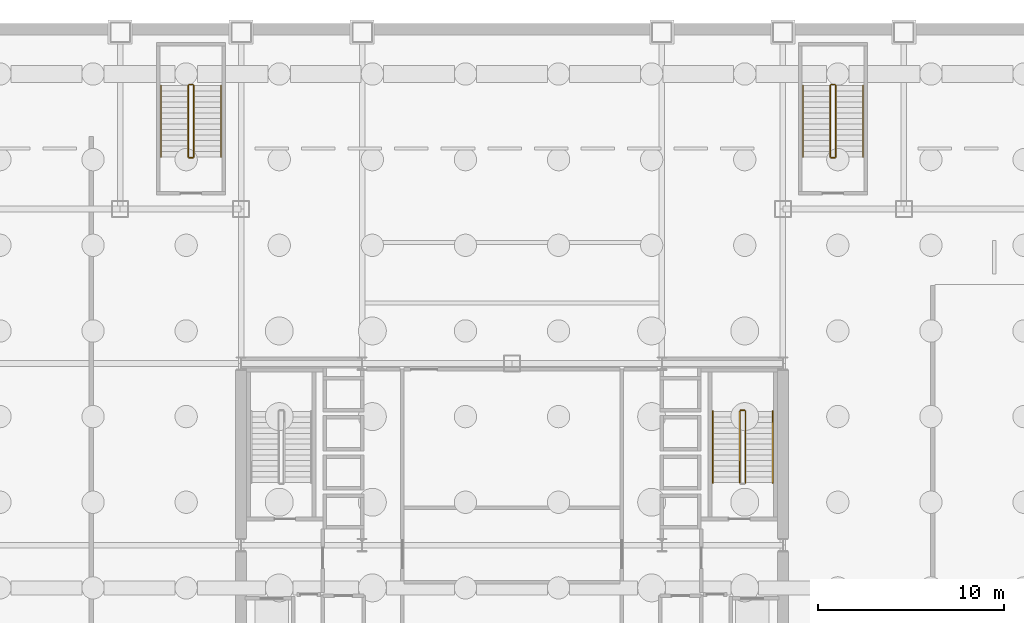
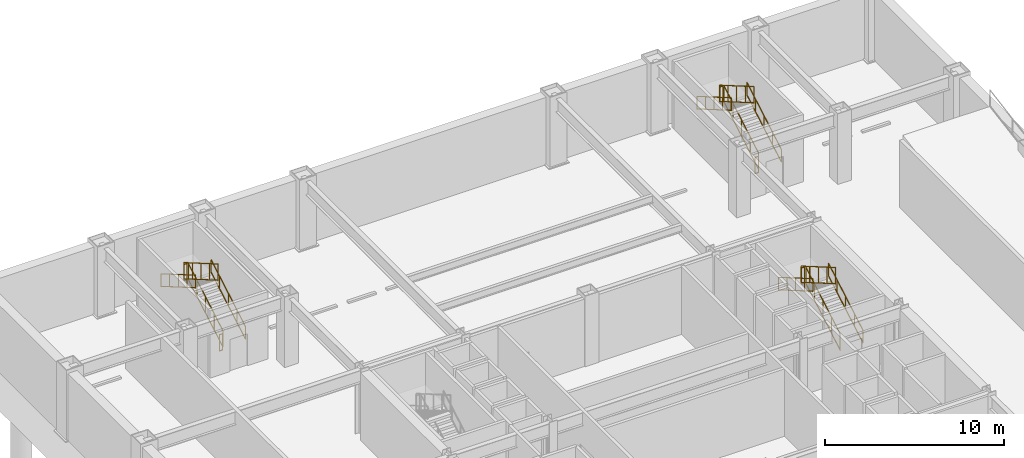
# One storey, part 7 of 8: 17 railings.
"""IFC4 building model written with IfcOpenShell, lengths in metres."""

from ifc_helpers import new_model, si_unit, direction, frame, origin, origin_2d, place, context, subcontext, project, spatial, rectangle, extrude, material, type_object, element, save


model = new_model("IFC4")

# Units and contexts
model_context = context("Model", 3, precision=1e-05, world=origin(), true_north=direction((0.0, 1.0)))
body_context = subcontext(model_context, "Body", "Model", "MODEL_VIEW")
ifc_project = project(units=[si_unit("LENGTHUNIT", "METRE"), si_unit("AREAUNIT", "SQUARE_METRE"), si_unit("VOLUMEUNIT", "CUBIC_METRE"), si_unit("PLANEANGLEUNIT", "RADIAN"), si_unit("MASSUNIT", "GRAM", prefix="KILO")], contexts=[model_context])

# Site, building, storey
site_placement = place(None, origin())
site = spatial("IfcSite", under=ifc_project, at=site_placement, CompositionType="ELEMENT")
building_placement = place(site_placement, origin())
building = spatial("IfcBuilding", under=site, at=building_placement, Name="Brelmoor Portico Tower", CompositionType="ELEMENT")
storey_placement = place(building_placement, frame((0.0, 0.0, -9.60009765625)))
storey = spatial("IfcBuildingStorey", under=building, at=storey_placement, Name="B2", CompositionType="ELEMENT", Elevation=-9.60009765625)

# Railings
ifc_material_1 = material(Name="Painted Tubular Steel Q235B", Category="steel")
railing_type_1 = type_object("IfcRailingType", Name="RL-STAIR-GUARD", PredefinedType="GUARDRAIL", material=ifc_material_1)
railing_1_placement = place(storey_placement, frame((12.5400390625, 3.35009765625, 0.171630859375)))
element("IfcRailing", 1, at=railing_1_placement, inside=storey, type_object=railing_type_1, Name="B2 ST-E stair guard 1", PredefinedType="GUARDRAIL", context=body_context, shape_type="SweptSolid", body=[
    extrude(rectangle(XDim=0.048095703125, YDim=0.048095703125, at=origin_2d()), frame((0.0, 0.0, 1.1259765625), z_axis=(0.0, 0.86461618451, 0.502432934314), x_axis=(-1.0, 0.0, 0.0)), (0.0, 0.0, 1.0), 4.435546875),
    extrude(rectangle(XDim=0.048095703125, YDim=0.048095703125, at=origin_2d()), frame((0.0, 0.0, 0.02392578125), z_axis=(0.0, 0.86461618451, 0.502432934314), x_axis=(-1.0, 0.0, 0.0)), (0.0, 0.0, 1.0), 4.435546875),
    extrude(rectangle(XDim=0.0419921875, YDim=0.0419921875, at=origin_2d()), origin(), (0.0, 0.0, 1.0), 1.101806640625),
    extrude(rectangle(XDim=0.0419921875, YDim=0.0419921875, at=origin_2d()), frame((0.0, 0.958740234375, 0.55712890625)), (0.0, 0.0, 1.0), 1.101806640625),
    extrude(rectangle(XDim=0.0419921875, YDim=0.0419921875, at=origin_2d()), frame((0.0, 1.91748046875, 1.1142578125)), (0.0, 0.0, 1.0), 1.101806640625),
    extrude(rectangle(XDim=0.0419921875, YDim=0.0419921875, at=origin_2d()), frame((0.0, 2.876220703125, 1.67138671875)), (0.0, 0.0, 1.0), 1.101806640625),
    extrude(rectangle(XDim=0.0419921875, YDim=0.0419921875, at=origin_2d()), frame((0.0, 3.8349609375, 2.228515625)), (0.0, 0.0, 1.0), 1.101806640625),
])
railing_2_placement = place(storey_placement, frame((12.489990234375, 7.235107421875, 2.400146484375)))
element("IfcRailing", 2, at=railing_2_placement, inside=storey, type_object=railing_type_1, Name="B2 ST-E stair guard 2", PredefinedType="GUARDRAIL", context=body_context, shape_type="SweptSolid", body=[
    extrude(rectangle(XDim=0.048095703125, YDim=0.048095703125, at=origin_2d()), frame((0.0, 0.0, 1.1259765625), z_axis=(-1.0, 0.0, 0.0), x_axis=(0.0, -1.0, 0.0)), (0.0, 0.0, 1.0), 0.199951171875),
    extrude(rectangle(XDim=0.048095703125, YDim=0.048095703125, at=origin_2d()), frame((0.0, 0.0, 0.02392578125), z_axis=(-1.0, 0.0, 0.0), x_axis=(0.0, -1.0, 0.0)), (0.0, 0.0, 1.0), 0.199951171875),
    extrude(rectangle(XDim=0.0419921875, YDim=0.0419921875, at=origin_2d()), origin(), (0.0, 0.0, 1.0), 1.101806640625),
    extrude(rectangle(XDim=0.0419921875, YDim=0.0419921875, at=origin_2d()), frame((-0.199951171875, 0.0, 0.0)), (0.0, 0.0, 1.0), 1.101806640625),
])
railing_3_placement = place(storey_placement, frame((12.239990234375, 7.18505859375, 2.571533203125)))
element("IfcRailing", 3, at=railing_3_placement, inside=storey, type_object=railing_type_1, Name="B2 ST-E stair guard 3", PredefinedType="GUARDRAIL", context=body_context, shape_type="SweptSolid", body=[
    extrude(rectangle(XDim=0.048095703125, YDim=0.048095703125, at=origin_2d()), frame((0.0, 0.0, 1.1259765625), z_axis=(0.0, -0.86461618451, 0.502432934314), x_axis=(1.0, 0.0, 0.0)), (0.0, 0.0, 1.0), 4.435546875),
    extrude(rectangle(XDim=0.048095703125, YDim=0.048095703125, at=origin_2d()), frame((0.0, 0.0, 0.02392578125), z_axis=(0.0, -0.86461618451, 0.502432934314), x_axis=(1.0, 0.0, 0.0)), (0.0, 0.0, 1.0), 4.435546875),
    extrude(rectangle(XDim=0.0419921875, YDim=0.0419921875, at=origin_2d()), origin(), (0.0, 0.0, 1.0), 1.101806640625),
    extrude(rectangle(XDim=0.0419921875, YDim=0.0419921875, at=origin_2d()), frame((0.0, -0.958740234375, 0.55712890625)), (0.0, 0.0, 1.0), 1.101806640625),
    extrude(rectangle(XDim=0.0419921875, YDim=0.0419921875, at=origin_2d()), frame((0.0, -1.91748046875, 1.1142578125)), (0.0, 0.0, 1.0), 1.101806640625),
    extrude(rectangle(XDim=0.0419921875, YDim=0.0419921875, at=origin_2d()), frame((0.0, -2.876220703125, 1.67138671875)), (0.0, 0.0, 1.0), 1.101806640625),
    extrude(rectangle(XDim=0.0419921875, YDim=0.0419921875, at=origin_2d()), frame((0.0, -3.8349609375, 2.228515625)), (0.0, 0.0, 1.0), 1.101806640625),
])
railing_4_placement = place(storey_placement, frame((-17.090087890625, 20.85009765625, 0.171630859375)))
element("IfcRailing", 4, at=railing_4_placement, inside=storey, type_object=railing_type_1, Name="B2 ST-P1 stair guard 1", PredefinedType="GUARDRAIL", context=body_context, shape_type="SweptSolid", body=[
    extrude(rectangle(XDim=0.048095703125, YDim=0.048095703125, at=origin_2d()), frame((0.0, 0.0, 1.1259765625), z_axis=(0.0, 0.86461618451, 0.502432934314), x_axis=(-1.0, 0.0, 0.0)), (0.0, 0.0, 1.0), 4.435546875),
    extrude(rectangle(XDim=0.048095703125, YDim=0.048095703125, at=origin_2d()), frame((0.0, 0.0, 0.02392578125), z_axis=(0.0, 0.86461618451, 0.502432934314), x_axis=(-1.0, 0.0, 0.0)), (0.0, 0.0, 1.0), 4.435546875),
    extrude(rectangle(XDim=0.0419921875, YDim=0.0419921875, at=origin_2d()), origin(), (0.0, 0.0, 1.0), 1.101806640625),
    extrude(rectangle(XDim=0.0419921875, YDim=0.0419921875, at=origin_2d()), frame((0.0, 0.958740234375, 0.55712890625)), (0.0, 0.0, 1.0), 1.101806640625),
    extrude(rectangle(XDim=0.0419921875, YDim=0.0419921875, at=origin_2d()), frame((0.0, 1.91748046875, 1.1142578125)), (0.0, 0.0, 1.0), 1.101806640625),
    extrude(rectangle(XDim=0.0419921875, YDim=0.0419921875, at=origin_2d()), frame((0.0, 2.876220703125, 1.67138671875)), (0.0, 0.0, 1.0), 1.101806640625),
    extrude(rectangle(XDim=0.0419921875, YDim=0.0419921875, at=origin_2d()), frame((0.0, 3.8349609375, 2.228515625)), (0.0, 0.0, 1.0), 1.101806640625),
])
railing_5_placement = place(storey_placement, frame((-17.139892578125, 24.735107421875, 2.400146484375)))
element("IfcRailing", 5, at=railing_5_placement, inside=storey, type_object=railing_type_1, Name="B2 ST-P1 stair guard 2", PredefinedType="GUARDRAIL", context=body_context, shape_type="SweptSolid", body=[
    extrude(rectangle(XDim=0.048095703125, YDim=0.048095703125, at=origin_2d()), frame((0.0, 0.0, 1.1259765625), z_axis=(-1.0, 0.0, 0.0), x_axis=(0.0, -1.0, 0.0)), (0.0, 0.0, 1.0), 0.2001953125),
    extrude(rectangle(XDim=0.048095703125, YDim=0.048095703125, at=origin_2d()), frame((0.0, 0.0, 0.02392578125), z_axis=(-1.0, 0.0, 0.0), x_axis=(0.0, -1.0, 0.0)), (0.0, 0.0, 1.0), 0.2001953125),
    extrude(rectangle(XDim=0.0419921875, YDim=0.0419921875, at=origin_2d()), origin(), (0.0, 0.0, 1.0), 1.101806640625),
    extrude(rectangle(XDim=0.0419921875, YDim=0.0419921875, at=origin_2d()), frame((-0.2001953125, 0.0, 0.0)), (0.0, 0.0, 1.0), 1.101806640625),
])
railing_6_placement = place(storey_placement, frame((-17.389892578125, 24.68505859375, 2.571533203125)))
element("IfcRailing", 6, at=railing_6_placement, inside=storey, type_object=railing_type_1, Name="B2 ST-P1 stair guard 3", PredefinedType="GUARDRAIL", context=body_context, shape_type="SweptSolid", body=[
    extrude(rectangle(XDim=0.048095703125, YDim=0.048095703125, at=origin_2d()), frame((0.0, 0.0, 1.1259765625), z_axis=(0.0, -0.86461618451, 0.502432934314), x_axis=(1.0, 0.0, 0.0)), (0.0, 0.0, 1.0), 4.435546875),
    extrude(rectangle(XDim=0.048095703125, YDim=0.048095703125, at=origin_2d()), frame((0.0, 0.0, 0.02392578125), z_axis=(0.0, -0.86461618451, 0.502432934314), x_axis=(1.0, 0.0, 0.0)), (0.0, 0.0, 1.0), 4.435546875),
    extrude(rectangle(XDim=0.0419921875, YDim=0.0419921875, at=origin_2d()), origin(), (0.0, 0.0, 1.0), 1.101806640625),
    extrude(rectangle(XDim=0.0419921875, YDim=0.0419921875, at=origin_2d()), frame((0.0, -0.958740234375, 0.55712890625)), (0.0, 0.0, 1.0), 1.101806640625),
    extrude(rectangle(XDim=0.0419921875, YDim=0.0419921875, at=origin_2d()), frame((0.0, -1.91748046875, 1.1142578125)), (0.0, 0.0, 1.0), 1.101806640625),
    extrude(rectangle(XDim=0.0419921875, YDim=0.0419921875, at=origin_2d()), frame((0.0, -2.876220703125, 1.67138671875)), (0.0, 0.0, 1.0), 1.101806640625),
    extrude(rectangle(XDim=0.0419921875, YDim=0.0419921875, at=origin_2d()), frame((0.0, -3.8349609375, 2.228515625)), (0.0, 0.0, 1.0), 1.101806640625),
])
railing_7_placement = place(storey_placement, frame((-17.139892578125, 20.800048828125, 0.0)))
element("IfcRailing", 7, at=railing_7_placement, inside=storey, type_object=railing_type_1, Name="B2 ST-P1 stair guard 4", PredefinedType="GUARDRAIL", context=body_context, shape_type="SweptSolid", body=[
    extrude(rectangle(XDim=0.048095703125, YDim=0.048095703125, at=origin_2d()), frame((0.0, 0.0, 1.1259765625), z_axis=(-1.0, 0.0, 0.0), x_axis=(0.0, -1.0, 0.0)), (0.0, 0.0, 1.0), 0.2001953125),
    extrude(rectangle(XDim=0.048095703125, YDim=0.048095703125, at=origin_2d()), frame((0.0, 0.0, 0.02392578125), z_axis=(-1.0, 0.0, 0.0), x_axis=(0.0, -1.0, 0.0)), (0.0, 0.0, 1.0), 0.2001953125),
    extrude(rectangle(XDim=0.0419921875, YDim=0.0419921875, at=origin_2d()), origin(), (0.0, 0.0, 1.0), 1.101806640625),
    extrude(rectangle(XDim=0.0419921875, YDim=0.0419921875, at=origin_2d()), frame((-0.2001953125, 0.0, 0.0)), (0.0, 0.0, 1.0), 1.101806640625),
])
railing_8_placement = place(storey_placement, frame((17.389892578125, 20.85009765625, 0.171630859375)))
element("IfcRailing", 8, at=railing_8_placement, inside=storey, type_object=railing_type_1, Name="B2 ST-P2 stair guard 1", PredefinedType="GUARDRAIL", context=body_context, shape_type="SweptSolid", body=[
    extrude(rectangle(XDim=0.048095703125, YDim=0.048095703125, at=origin_2d()), frame((0.0, 0.0, 1.1259765625), z_axis=(0.0, 0.86461618451, 0.502432934314), x_axis=(-1.0, 0.0, 0.0)), (0.0, 0.0, 1.0), 4.435546875),
    extrude(rectangle(XDim=0.048095703125, YDim=0.048095703125, at=origin_2d()), frame((0.0, 0.0, 0.02392578125), z_axis=(0.0, 0.86461618451, 0.502432934314), x_axis=(-1.0, 0.0, 0.0)), (0.0, 0.0, 1.0), 4.435546875),
    extrude(rectangle(XDim=0.0419921875, YDim=0.0419921875, at=origin_2d()), origin(), (0.0, 0.0, 1.0), 1.101806640625),
    extrude(rectangle(XDim=0.0419921875, YDim=0.0419921875, at=origin_2d()), frame((0.0, 0.958740234375, 0.55712890625)), (0.0, 0.0, 1.0), 1.101806640625),
    extrude(rectangle(XDim=0.0419921875, YDim=0.0419921875, at=origin_2d()), frame((0.0, 1.91748046875, 1.1142578125)), (0.0, 0.0, 1.0), 1.101806640625),
    extrude(rectangle(XDim=0.0419921875, YDim=0.0419921875, at=origin_2d()), frame((0.0, 2.876220703125, 1.67138671875)), (0.0, 0.0, 1.0), 1.101806640625),
    extrude(rectangle(XDim=0.0419921875, YDim=0.0419921875, at=origin_2d()), frame((0.0, 3.8349609375, 2.228515625)), (0.0, 0.0, 1.0), 1.101806640625),
])
railing_9_placement = place(storey_placement, frame((17.340087890625, 24.735107421875, 2.400146484375)))
element("IfcRailing", 9, at=railing_9_placement, inside=storey, type_object=railing_type_1, Name="B2 ST-P2 stair guard 2", PredefinedType="GUARDRAIL", context=body_context, shape_type="SweptSolid", body=[
    extrude(rectangle(XDim=0.048095703125, YDim=0.048095703125, at=origin_2d()), frame((0.0, 0.0, 1.1259765625), z_axis=(-1.0, 0.0, 0.0), x_axis=(0.0, -1.0, 0.0)), (0.0, 0.0, 1.0), 0.2001953125),
    extrude(rectangle(XDim=0.048095703125, YDim=0.048095703125, at=origin_2d()), frame((0.0, 0.0, 0.02392578125), z_axis=(-1.0, 0.0, 0.0), x_axis=(0.0, -1.0, 0.0)), (0.0, 0.0, 1.0), 0.2001953125),
    extrude(rectangle(XDim=0.0419921875, YDim=0.0419921875, at=origin_2d()), origin(), (0.0, 0.0, 1.0), 1.101806640625),
    extrude(rectangle(XDim=0.0419921875, YDim=0.0419921875, at=origin_2d()), frame((-0.2001953125, 0.0, 0.0)), (0.0, 0.0, 1.0), 1.101806640625),
])
railing_10_placement = place(storey_placement, frame((17.090087890625, 24.68505859375, 2.571533203125)))
element("IfcRailing", 10, at=railing_10_placement, inside=storey, type_object=railing_type_1, Name="B2 ST-P2 stair guard 3", PredefinedType="GUARDRAIL", context=body_context, shape_type="SweptSolid", body=[
    extrude(rectangle(XDim=0.048095703125, YDim=0.048095703125, at=origin_2d()), frame((0.0, 0.0, 1.1259765625), z_axis=(0.0, -0.86461618451, 0.502432934314), x_axis=(1.0, 0.0, 0.0)), (0.0, 0.0, 1.0), 4.435546875),
    extrude(rectangle(XDim=0.048095703125, YDim=0.048095703125, at=origin_2d()), frame((0.0, 0.0, 0.02392578125), z_axis=(0.0, -0.86461618451, 0.502432934314), x_axis=(1.0, 0.0, 0.0)), (0.0, 0.0, 1.0), 4.435546875),
    extrude(rectangle(XDim=0.0419921875, YDim=0.0419921875, at=origin_2d()), origin(), (0.0, 0.0, 1.0), 1.101806640625),
    extrude(rectangle(XDim=0.0419921875, YDim=0.0419921875, at=origin_2d()), frame((0.0, -0.958740234375, 0.55712890625)), (0.0, 0.0, 1.0), 1.101806640625),
    extrude(rectangle(XDim=0.0419921875, YDim=0.0419921875, at=origin_2d()), frame((0.0, -1.91748046875, 1.1142578125)), (0.0, 0.0, 1.0), 1.101806640625),
    extrude(rectangle(XDim=0.0419921875, YDim=0.0419921875, at=origin_2d()), frame((0.0, -2.876220703125, 1.67138671875)), (0.0, 0.0, 1.0), 1.101806640625),
    extrude(rectangle(XDim=0.0419921875, YDim=0.0419921875, at=origin_2d()), frame((0.0, -3.8349609375, 2.228515625)), (0.0, 0.0, 1.0), 1.101806640625),
])
railing_11_placement = place(storey_placement, frame((17.340087890625, 20.800048828125, 0.0)))
element("IfcRailing", 11, at=railing_11_placement, inside=storey, type_object=railing_type_1, Name="B2 ST-P2 stair guard 4", PredefinedType="GUARDRAIL", context=body_context, shape_type="SweptSolid", body=[
    extrude(rectangle(XDim=0.048095703125, YDim=0.048095703125, at=origin_2d()), frame((0.0, 0.0, 1.1259765625), z_axis=(-1.0, 0.0, 0.0), x_axis=(0.0, -1.0, 0.0)), (0.0, 0.0, 1.0), 0.2001953125),
    extrude(rectangle(XDim=0.048095703125, YDim=0.048095703125, at=origin_2d()), frame((0.0, 0.0, 0.02392578125), z_axis=(-1.0, 0.0, 0.0), x_axis=(0.0, -1.0, 0.0)), (0.0, 0.0, 1.0), 0.2001953125),
    extrude(rectangle(XDim=0.0419921875, YDim=0.0419921875, at=origin_2d()), origin(), (0.0, 0.0, 1.0), 1.101806640625),
    extrude(rectangle(XDim=0.0419921875, YDim=0.0419921875, at=origin_2d()), frame((-0.2001953125, 0.0, 0.0)), (0.0, 0.0, 1.0), 1.101806640625),
])
ifc_material_2 = material(Name="Brushed Stainless Steel 304", Category="steel")
railing_type_2 = type_object("IfcRailingType", Name="RL-STAIR-HANDRAIL", PredefinedType="HANDRAIL", material=ifc_material_2)
railing_12_placement = place(storey_placement, frame((14.0, 3.35009765625, 0.171630859375)))
element("IfcRailing", 12, at=railing_12_placement, inside=storey, type_object=railing_type_2, Name="B2 ST-E stair handrail 1", PredefinedType="HANDRAIL", context=body_context, shape_type="SweptSolid", body=[
    extrude(rectangle(XDim=0.048095703125, YDim=0.048095703125, at=origin_2d()), frame((0.0, 0.0, 0.8759765625), z_axis=(0.0, 0.86461618451, 0.502432934314), x_axis=(-1.0, 0.0, 0.0)), (0.0, 0.0, 1.0), 4.435546875),
    extrude(rectangle(XDim=0.048095703125, YDim=0.048095703125, at=origin_2d()), frame((0.0, 0.0, 0.02392578125), z_axis=(0.0, 0.86461618451, 0.502432934314), x_axis=(-1.0, 0.0, 0.0)), (0.0, 0.0, 1.0), 4.435546875),
    extrude(rectangle(XDim=0.0419921875, YDim=0.0419921875, at=origin_2d()), origin(), (0.0, 0.0, 1.0), 0.851806640625),
    extrude(rectangle(XDim=0.0419921875, YDim=0.0419921875, at=origin_2d()), frame((0.0, 0.958740234375, 0.55712890625)), (0.0, 0.0, 1.0), 0.851806640625),
    extrude(rectangle(XDim=0.0419921875, YDim=0.0419921875, at=origin_2d()), frame((0.0, 1.91748046875, 1.1142578125)), (0.0, 0.0, 1.0), 0.851806640625),
    extrude(rectangle(XDim=0.0419921875, YDim=0.0419921875, at=origin_2d()), frame((0.0, 2.876220703125, 1.67138671875)), (0.0, 0.0, 1.0), 0.851806640625),
    extrude(rectangle(XDim=0.0419921875, YDim=0.0419921875, at=origin_2d()), frame((0.0, 3.8349609375, 2.228515625)), (0.0, 0.0, 1.0), 0.851806640625),
])
railing_13_placement = place(storey_placement, frame((10.780029296875, 7.18505859375, 2.571533203125)))
element("IfcRailing", 13, at=railing_13_placement, inside=storey, type_object=railing_type_2, Name="B2 ST-E stair handrail 2", PredefinedType="HANDRAIL", context=body_context, shape_type="SweptSolid", body=[
    extrude(rectangle(XDim=0.048095703125, YDim=0.048095703125, at=origin_2d()), frame((0.0, 0.0, 0.8759765625), z_axis=(0.0, -0.86461618451, 0.502432934314), x_axis=(1.0, 0.0, 0.0)), (0.0, 0.0, 1.0), 4.435546875),
    extrude(rectangle(XDim=0.048095703125, YDim=0.048095703125, at=origin_2d()), frame((0.0, 0.0, 0.02392578125), z_axis=(0.0, -0.86461618451, 0.502432934314), x_axis=(1.0, 0.0, 0.0)), (0.0, 0.0, 1.0), 4.435546875),
    extrude(rectangle(XDim=0.0419921875, YDim=0.0419921875, at=origin_2d()), origin(), (0.0, 0.0, 1.0), 0.851806640625),
    extrude(rectangle(XDim=0.0419921875, YDim=0.0419921875, at=origin_2d()), frame((0.0, -0.958740234375, 0.55712890625)), (0.0, 0.0, 1.0), 0.851806640625),
    extrude(rectangle(XDim=0.0419921875, YDim=0.0419921875, at=origin_2d()), frame((0.0, -1.91748046875, 1.1142578125)), (0.0, 0.0, 1.0), 0.851806640625),
    extrude(rectangle(XDim=0.0419921875, YDim=0.0419921875, at=origin_2d()), frame((0.0, -2.876220703125, 1.67138671875)), (0.0, 0.0, 1.0), 0.851806640625),
    extrude(rectangle(XDim=0.0419921875, YDim=0.0419921875, at=origin_2d()), frame((0.0, -3.8349609375, 2.228515625)), (0.0, 0.0, 1.0), 0.851806640625),
])
railing_14_placement = place(storey_placement, frame((-15.6298828125, 20.85009765625, 0.171630859375)))
element("IfcRailing", 14, at=railing_14_placement, inside=storey, type_object=railing_type_2, Name="B2 ST-P1 stair handrail 1", PredefinedType="HANDRAIL", context=body_context, shape_type="SweptSolid", body=[
    extrude(rectangle(XDim=0.048095703125, YDim=0.048095703125, at=origin_2d()), frame((0.0, 0.0, 0.8759765625), z_axis=(0.0, 0.86461618451, 0.502432934314), x_axis=(-1.0, 0.0, 0.0)), (0.0, 0.0, 1.0), 4.435546875),
    extrude(rectangle(XDim=0.048095703125, YDim=0.048095703125, at=origin_2d()), frame((0.0, 0.0, 0.02392578125), z_axis=(0.0, 0.86461618451, 0.502432934314), x_axis=(-1.0, 0.0, 0.0)), (0.0, 0.0, 1.0), 4.435546875),
    extrude(rectangle(XDim=0.0419921875, YDim=0.0419921875, at=origin_2d()), origin(), (0.0, 0.0, 1.0), 0.851806640625),
    extrude(rectangle(XDim=0.0419921875, YDim=0.0419921875, at=origin_2d()), frame((0.0, 0.958740234375, 0.55712890625)), (0.0, 0.0, 1.0), 0.851806640625),
    extrude(rectangle(XDim=0.0419921875, YDim=0.0419921875, at=origin_2d()), frame((0.0, 1.91748046875, 1.1142578125)), (0.0, 0.0, 1.0), 0.851806640625),
    extrude(rectangle(XDim=0.0419921875, YDim=0.0419921875, at=origin_2d()), frame((0.0, 2.876220703125, 1.67138671875)), (0.0, 0.0, 1.0), 0.851806640625),
    extrude(rectangle(XDim=0.0419921875, YDim=0.0419921875, at=origin_2d()), frame((0.0, 3.8349609375, 2.228515625)), (0.0, 0.0, 1.0), 0.851806640625),
])
railing_15_placement = place(storey_placement, frame((-18.85009765625, 24.68505859375, 2.571533203125)))
element("IfcRailing", 15, at=railing_15_placement, inside=storey, type_object=railing_type_2, Name="B2 ST-P1 stair handrail 2", PredefinedType="HANDRAIL", context=body_context, shape_type="SweptSolid", body=[
    extrude(rectangle(XDim=0.048095703125, YDim=0.048095703125, at=origin_2d()), frame((0.0, 0.0, 0.8759765625), z_axis=(0.0, -0.86461618451, 0.502432934314), x_axis=(1.0, 0.0, 0.0)), (0.0, 0.0, 1.0), 4.435546875),
    extrude(rectangle(XDim=0.048095703125, YDim=0.048095703125, at=origin_2d()), frame((0.0, 0.0, 0.02392578125), z_axis=(0.0, -0.86461618451, 0.502432934314), x_axis=(1.0, 0.0, 0.0)), (0.0, 0.0, 1.0), 4.435546875),
    extrude(rectangle(XDim=0.0419921875, YDim=0.0419921875, at=origin_2d()), origin(), (0.0, 0.0, 1.0), 0.851806640625),
    extrude(rectangle(XDim=0.0419921875, YDim=0.0419921875, at=origin_2d()), frame((0.0, -0.958740234375, 0.55712890625)), (0.0, 0.0, 1.0), 0.851806640625),
    extrude(rectangle(XDim=0.0419921875, YDim=0.0419921875, at=origin_2d()), frame((0.0, -1.91748046875, 1.1142578125)), (0.0, 0.0, 1.0), 0.851806640625),
    extrude(rectangle(XDim=0.0419921875, YDim=0.0419921875, at=origin_2d()), frame((0.0, -2.876220703125, 1.67138671875)), (0.0, 0.0, 1.0), 0.851806640625),
    extrude(rectangle(XDim=0.0419921875, YDim=0.0419921875, at=origin_2d()), frame((0.0, -3.8349609375, 2.228515625)), (0.0, 0.0, 1.0), 0.851806640625),
])
railing_16_placement = place(storey_placement, frame((18.85009765625, 20.85009765625, 0.171630859375)))
element("IfcRailing", 16, at=railing_16_placement, inside=storey, type_object=railing_type_2, Name="B2 ST-P2 stair handrail 1", PredefinedType="HANDRAIL", context=body_context, shape_type="SweptSolid", body=[
    extrude(rectangle(XDim=0.048095703125, YDim=0.048095703125, at=origin_2d()), frame((0.0, 0.0, 0.8759765625), z_axis=(0.0, 0.86461618451, 0.502432934314), x_axis=(-1.0, 0.0, 0.0)), (0.0, 0.0, 1.0), 4.435546875),
    extrude(rectangle(XDim=0.048095703125, YDim=0.048095703125, at=origin_2d()), frame((0.0, 0.0, 0.02392578125), z_axis=(0.0, 0.86461618451, 0.502432934314), x_axis=(-1.0, 0.0, 0.0)), (0.0, 0.0, 1.0), 4.435546875),
    extrude(rectangle(XDim=0.0419921875, YDim=0.0419921875, at=origin_2d()), origin(), (0.0, 0.0, 1.0), 0.851806640625),
    extrude(rectangle(XDim=0.0419921875, YDim=0.0419921875, at=origin_2d()), frame((0.0, 0.958740234375, 0.55712890625)), (0.0, 0.0, 1.0), 0.851806640625),
    extrude(rectangle(XDim=0.0419921875, YDim=0.0419921875, at=origin_2d()), frame((0.0, 1.91748046875, 1.1142578125)), (0.0, 0.0, 1.0), 0.851806640625),
    extrude(rectangle(XDim=0.0419921875, YDim=0.0419921875, at=origin_2d()), frame((0.0, 2.876220703125, 1.67138671875)), (0.0, 0.0, 1.0), 0.851806640625),
    extrude(rectangle(XDim=0.0419921875, YDim=0.0419921875, at=origin_2d()), frame((0.0, 3.8349609375, 2.228515625)), (0.0, 0.0, 1.0), 0.851806640625),
])
railing_17_placement = place(storey_placement, frame((15.6298828125, 24.68505859375, 2.571533203125)))
element("IfcRailing", 17, at=railing_17_placement, inside=storey, type_object=railing_type_2, Name="B2 ST-P2 stair handrail 2", PredefinedType="HANDRAIL", context=body_context, shape_type="SweptSolid", body=[
    extrude(rectangle(XDim=0.048095703125, YDim=0.048095703125, at=origin_2d()), frame((0.0, 0.0, 0.8759765625), z_axis=(0.0, -0.86461618451, 0.502432934314), x_axis=(1.0, 0.0, 0.0)), (0.0, 0.0, 1.0), 4.435546875),
    extrude(rectangle(XDim=0.048095703125, YDim=0.048095703125, at=origin_2d()), frame((0.0, 0.0, 0.02392578125), z_axis=(0.0, -0.86461618451, 0.502432934314), x_axis=(1.0, 0.0, 0.0)), (0.0, 0.0, 1.0), 4.435546875),
    extrude(rectangle(XDim=0.0419921875, YDim=0.0419921875, at=origin_2d()), origin(), (0.0, 0.0, 1.0), 0.851806640625),
    extrude(rectangle(XDim=0.0419921875, YDim=0.0419921875, at=origin_2d()), frame((0.0, -0.958740234375, 0.55712890625)), (0.0, 0.0, 1.0), 0.851806640625),
    extrude(rectangle(XDim=0.0419921875, YDim=0.0419921875, at=origin_2d()), frame((0.0, -1.91748046875, 1.1142578125)), (0.0, 0.0, 1.0), 0.851806640625),
    extrude(rectangle(XDim=0.0419921875, YDim=0.0419921875, at=origin_2d()), frame((0.0, -2.876220703125, 1.67138671875)), (0.0, 0.0, 1.0), 0.851806640625),
    extrude(rectangle(XDim=0.0419921875, YDim=0.0419921875, at=origin_2d()), frame((0.0, -3.8349609375, 2.228515625)), (0.0, 0.0, 1.0), 0.851806640625),
])

save(model, "model.ifc")
